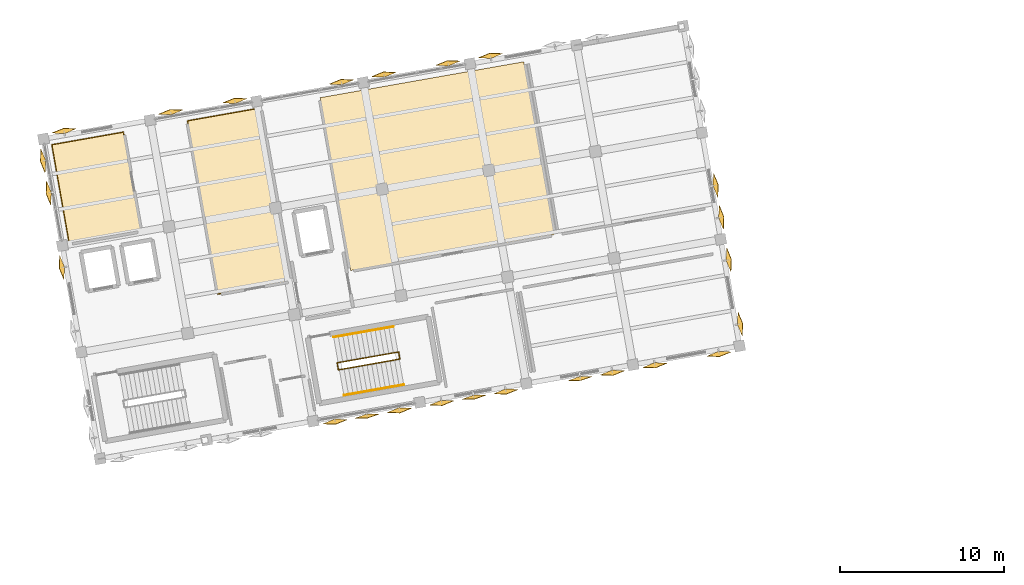
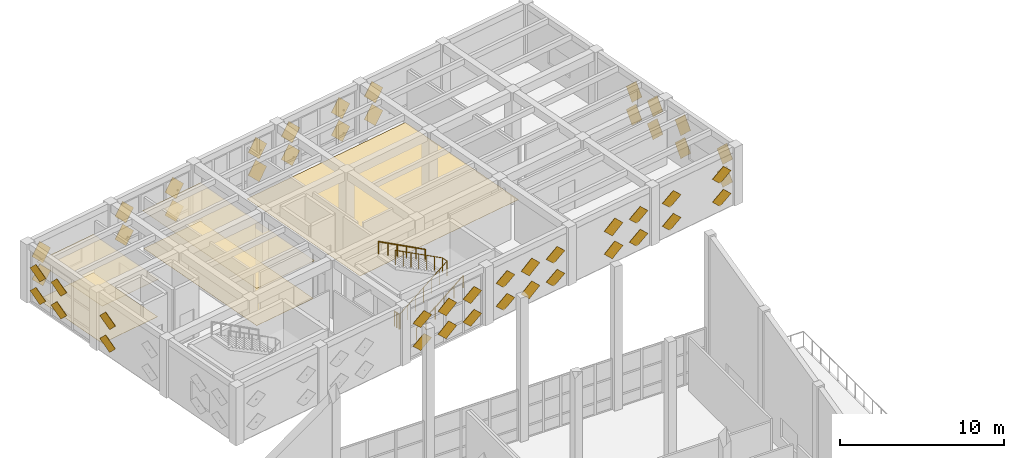
# One storey, part 37 of 39: 53 coverings, 4 railings.
"""IFC4 building model written with IfcOpenShell, lengths in metres."""

import ifcopenshell
import ifcopenshell.guid

model = None  # the IFC model being written
_history = None  # IfcOwnerHistory: only IFC2X3 demands one
_inside = {}  # id of a spatial element -> (the spatial element, [elements in it])
_under = {}  # id of a project, library or spatial element -> (it, [spatial elements below it])
_declared = {}  # id of a project -> (the project, [libraries it declares])
_typed = {}  # id of a type object -> (the type object, [elements of that type])
_made_of = {}  # id of a material, layer set ... -> (it, [elements and type objects made of it])


def new_model(schema):
    """Start an empty IFC model of exactly this schema.

    Asked for "IFC4X3", IfcOpenShell would pick the latest addendum, in which some entities
    have other attributes; the version numbers below select the first issue.
    IFC2X3 requires an IfcOwnerHistory on every rooted entity: one is made here for all.
    """
    global model, _history
    if schema == "IFC4X3":
        model = ifcopenshell.file(schema_version=(4, 3, 0, 0))
    else:
        model = ifcopenshell.file(schema=schema)
    _inside.clear()
    _under.clear()
    _declared.clear()
    _typed.clear()
    _made_of.clear()
    _history = None
    if model.schema == "IFC2X3":
        org = make("IfcOrganization", Name="unknown")
        user = make(
            "IfcPersonAndOrganization",
            ThePerson=make("IfcPerson", FamilyName="unknown"),
            TheOrganization=org,
        )
        app = make(
            "IfcApplication",
            ApplicationDeveloper=org,
            Version="unknown",
            ApplicationFullName="unknown",
            ApplicationIdentifier="unknown",
        )
        _history = make(
            "IfcOwnerHistory",
            OwningUser=user,
            OwningApplication=app,
            ChangeAction="ADDED",
            CreationDate=0,
        )
    return model


def make(cls, **values):
    """One entity of the class cls with the attributes given. An attribute that is None is left unset."""
    return model.create_entity(
        cls, **{name: value for name, value in values.items() if value is not None}
    )


def rooted(cls, **values):
    """An entity with a GlobalId (a new one), such as an element, a storey or a relation."""
    return make(cls, GlobalId=ifcopenshell.guid.new(), OwnerHistory=_history, **values)


def si_unit(unit_type, name, prefix=None):
    """IfcSIUnit, for example si_unit("LENGTHUNIT", "METRE", prefix="MILLI")."""
    return make("IfcSIUnit", UnitType=unit_type, Prefix=prefix, Name=name)


def assignment(units):
    """IfcUnitAssignment: the units of a project."""
    return None if units is None else make("IfcUnitAssignment", Units=units)


def point(xyz):
    """IfcCartesianPoint."""
    return None if xyz is None else make("IfcCartesianPoint", Coordinates=xyz)


def direction(xyz):
    """IfcDirection."""
    return None if xyz is None else make("IfcDirection", DirectionRatios=xyz)


def frame(location, z_axis=None, x_axis=None):
    """IfcAxis2Placement3D, a coordinate frame: its origin and axes. An axis left out is left unset."""
    return make(
        "IfcAxis2Placement3D",
        Location=point(location),
        Axis=direction(z_axis),
        RefDirection=direction(x_axis),
    )


def frame_2d(location, x_axis=None):
    """IfcAxis2Placement2D, a coordinate frame in the plane: its origin and x axis."""
    return make(
        "IfcAxis2Placement2D", Location=point(location), RefDirection=direction(x_axis)
    )


def origin():
    """The frame at (0, 0, 0) with its axes left unset."""
    return frame((0.0, 0.0, 0.0))


def origin_2d():
    """The frame at (0, 0) in the plane with its x axis left unset."""
    return frame_2d((0.0, 0.0))


def place(relative_to, where):
    """IfcLocalPlacement: puts the frame where relative to a parent placement (None: the world)."""
    return make(
        "IfcLocalPlacement", PlacementRelTo=relative_to, RelativePlacement=where
    )


def context(
    kind, dimensions, precision=None, world=None, true_north=None, identifier=None
):
    """IfcGeometricRepresentationContext, for example the 3D "Model" context."""
    return make(
        "IfcGeometricRepresentationContext",
        ContextIdentifier=identifier,
        ContextType=kind,
        CoordinateSpaceDimension=dimensions,
        Precision=precision,
        WorldCoordinateSystem=world,
        TrueNorth=true_north,
    )


def subcontext(parent, identifier, kind, view, scale=None):
    """IfcGeometricRepresentationSubContext, for example "Body" below "Model"."""
    return make(
        "IfcGeometricRepresentationSubContext",
        ContextIdentifier=identifier,
        ContextType=kind,
        ParentContext=parent,
        TargetScale=scale,
        TargetView=view,
    )


def project(units=None, contexts=None):
    """IfcProject with its units and contexts."""
    return rooted(
        "IfcProject",
        Name="project",
        RepresentationContexts=contexts,
        UnitsInContext=assignment(units),
    )


def spatial(cls, under=None, at=None, **own):
    """A site, building, storey or space (cls), placed at a placement, below another one or the project."""
    s = rooted(cls, ObjectPlacement=at, **own)
    if under is not None:
        _under.setdefault(under.id(), (under, []))[1].append(s)
    return s


def polyline(points):
    """IfcPolyline through the points."""
    return make("IfcPolyline", Points=[point(p) for p in points])


def profile(cls, at=None, kind="AREA", **sizes):
    """A parametric profile (cls). Its sizes go by their IFC names, for example OverallWidth=200.0."""
    return make(cls, ProfileType=kind, Position=at, **sizes)


def circle(**sizes):
    """IfcCircleProfileDef."""
    return profile("IfcCircleProfileDef", **sizes)


def outline(outer, holes=None, kind="AREA"):
    """IfcArbitraryClosedProfileDef: a profile drawn as a closed curve; with holes, ...WithVoids."""
    if holes is None:
        return make("IfcArbitraryClosedProfileDef", ProfileType=kind, OuterCurve=outer)
    return make(
        "IfcArbitraryProfileDefWithVoids",
        ProfileType=kind,
        OuterCurve=outer,
        InnerCurves=holes,
    )


def extrude(swept, where, along, depth):
    """IfcExtrudedAreaSolid: the profile swept, set in the frame where, extruded along a direction by depth."""
    return make(
        "IfcExtrudedAreaSolid",
        SweptArea=swept,
        Position=where,
        ExtrudedDirection=direction(along),
        Depth=depth,
    )


def shape(context_of_items, identifier, shape_type, items):
    """IfcShapeRepresentation: the items that make up one representation, for example the "Body"."""
    return make(
        "IfcShapeRepresentation",
        ContextOfItems=context_of_items,
        RepresentationIdentifier=identifier,
        RepresentationType=shape_type,
        Items=items,
    )


def material(Name=None, Category=None):
    """IfcMaterial."""
    return make("IfcMaterial", Name=Name, Category=Category)


def layer(
    of_material, thickness, ventilated=None, Name=None, Category=None, Priority=None
):
    """IfcMaterialLayer: one layer of a wall or slab, of a material (None: an air gap)."""
    return make(
        "IfcMaterialLayer",
        Material=of_material,
        LayerThickness=thickness,
        IsVentilated=ventilated,
        Name=Name,
        Category=Category,
        Priority=Priority,
    )


def layer_set(layers, Name=None):
    """IfcMaterialLayerSet."""
    return make("IfcMaterialLayerSet", MaterialLayers=layers, LayerSetName=Name)


def made_of(thing, what):
    """Note that an element or type object is made of a material, layer set ...; save() writes the relation."""
    if what is not None:
        _made_of.setdefault(what.id(), (what, []))[1].append(thing)
    return thing


def type_object(cls, material=None, **own):
    """A type object (cls), such as IfcWallType, which elements share."""
    return made_of(rooted(cls, **own), material)


def element(
    cls,
    number,
    at=None,
    inside=None,
    cuts=None,
    type_object=None,
    material=None,
    context=None,
    identifier="Body",
    shape_type=None,
    held_by="IfcProductDefinitionShape",
    body=None,
    shapes=None,
    **own,
):
    """One element of the class cls, such as IfcWall. Its Tag is "e" and its number.

    at: its placement. inside: the storey or other place that contains it. cuts: it is an
    opening in that element (IfcRelVoidsElement). A single representation is given by context,
    identifier, shape_type and body (its items); several are given by shapes. held_by: the class
    of the entity that holds the representations. save() writes the other relations.
    """
    e = rooted(cls, Tag="e%d" % number, ObjectPlacement=at, **own)
    if body is not None:
        shapes = [shape(context, identifier, shape_type, body)]
    if shapes is not None:
        e.Representation = make(held_by, Representations=shapes)
    if inside is not None:
        _inside.setdefault(inside.id(), (inside, []))[1].append(e)
    if cuts is not None:
        rooted(
            "IfcRelVoidsElement", RelatingBuildingElement=cuts, RelatedOpeningElement=e
        )
    if type_object is not None:
        _typed.setdefault(type_object.id(), (type_object, []))[1].append(e)
    return made_of(e, material)


def aggregate(whole, parts):
    """IfcRelAggregates: a whole, such as a stair, and the parts it consists of."""
    return rooted("IfcRelAggregates", RelatingObject=whole, RelatedObjects=parts)


def save(model, path):
    """Write the relations noted so far, then the file.

    IfcRelAggregates (storeys below a building ...), IfcRelContainedInSpatialStructure (elements
    in a storey), IfcRelDefinesByType, IfcRelAssociatesMaterial and IfcRelDeclares: one each for
    every whole, place, type object, material and project.
    """
    for whole, parts in _under.values():
        aggregate(whole, parts)
    for where, things in _inside.values():
        rooted(
            "IfcRelContainedInSpatialStructure",
            RelatedElements=things,
            RelatingStructure=where,
        )
    for kind, things in _typed.values():
        rooted("IfcRelDefinesByType", RelatedObjects=things, RelatingType=kind)
    for what, things in _made_of.values():
        rooted("IfcRelAssociatesMaterial", RelatedObjects=things, RelatingMaterial=what)
    for by, libraries in _declared.values():
        rooted("IfcRelDeclares", RelatingContext=by, RelatedDefinitions=libraries)
    model.write(path)


model = new_model("IFC4")

# Units and contexts
model_context = context("Model", 3, precision=1e-05, world=origin(), true_north=direction((0.0, 1.0)))
body_context = subcontext(model_context, "Body", "Model", "MODEL_VIEW")
ifc_project = project(units=[si_unit("LENGTHUNIT", "METRE"), si_unit("AREAUNIT", "SQUARE_METRE"), si_unit("VOLUMEUNIT", "CUBIC_METRE"), si_unit("PLANEANGLEUNIT", "RADIAN"), si_unit("MASSUNIT", "GRAM", prefix="KILO")], contexts=[model_context])

# Site, building, storey
site_placement = place(None, origin())
site = spatial("IfcSite", under=ifc_project, at=site_placement, CompositionType="ELEMENT")
building_placement = place(site_placement, origin())
building = spatial("IfcBuilding", under=site, at=building_placement, Name="Kharisveld Research Institute", CompositionType="ELEMENT")
storey_placement = place(building_placement, frame((0.0, 0.0, 18.60009765625)))
storey = spatial("IfcBuildingStorey", under=building, at=storey_placement, Name="L04", CompositionType="ELEMENT", Elevation=18.60009765625)

# Coverings
ifc_material_1 = material(Name="Mineral-Fibre Acoustic Ceiling", Category="mineral")
ifc_layer_1 = layer(ifc_material_1, 0.02490234375)
ifc_layer_set_1 = layer_set([ifc_layer_1], Name="CV_CEIL_AC")
covering_type_1 = type_object("IfcCoveringType", Name="CV_CEIL_AC", PredefinedType="CEILING", material=ifc_layer_set_1)
covering_1_placement = place(storey_placement, frame((0.0, 0.0, 2.7998046875)))
element("IfcCovering", 1, at=covering_1_placement, inside=storey, type_object=covering_type_1, Name="COV:RM:V1:L04:NW:CEIL", PredefinedType="CEILING", context=body_context, shape_type="SweptSolid", body=[
    extrude(outline(polyline([(3.3017578125, 48.078857421875), (7.7333984375, 48.8603515625), (6.65673828125, 54.966064453125), (2.22509765625, 54.184814453125), (3.3017578125, 48.078857421875)])), origin(), (0.0, 0.0, 1.0), 0.025146484375),
])
covering_2_placement = place(storey_placement, frame((0.0, 0.0, 2.7998046875)))
element("IfcCovering", 2, at=covering_2_placement, inside=storey, type_object=covering_type_1, Name="COV:RM:V1:L04:N1:CEIL", PredefinedType="CEILING", context=body_context, shape_type="SweptSolid", body=[
    extrude(outline(polyline([(12.373046875, 45.007568359375), (16.903076171875, 45.80615234375), (15.027587890625, 56.442138671875), (10.49755859375, 55.643310546875), (12.373046875, 45.007568359375)])), origin(), (0.0, 0.0, 1.0), 0.025146484375),
])
ifc_material_2 = material(Name="Seamless Chemical-Resistant Epoxy", Category="mineral")
ifc_layer_2 = layer(ifc_material_2, 0.014892578125)
ifc_layer_set_2 = layer_set([ifc_layer_2], Name="CV_FLR_EPX")
covering_type_2 = type_object("IfcCoveringType", Name="CV_FLR_EPX", PredefinedType="FLOORING", material=ifc_layer_set_2)
covering_3_placement = place(storey_placement, origin())
element("IfcCovering", 3, at=covering_3_placement, inside=storey, type_object=covering_type_2, Name="COV:RM:V1:L04:NW:FLR", PredefinedType="FLOORING", context=body_context, shape_type="SweptSolid", body=[
    extrude(outline(polyline([(3.34228515625, 48.136962890625), (7.675537109375, 48.90087890625), (6.6162109375, 54.908203125), (2.282958984375, 54.144287109375), (3.34228515625, 48.136962890625)])), origin(), (0.0, 0.0, 1.0), 0.014892578125),
])
covering_4_placement = place(storey_placement, origin())
element("IfcCovering", 4, at=covering_4_placement, inside=storey, type_object=covering_type_2, Name="COV:RM:V1:L04:N1:FLR", PredefinedType="FLOORING", context=body_context, shape_type="SweptSolid", body=[
    extrude(outline(polyline([(12.41357421875, 45.0654296875), (16.84521484375, 45.8466796875), (14.987060546875, 56.38427734375), (10.555419921875, 55.602783203125), (12.41357421875, 45.0654296875)])), origin(), (0.0, 0.0, 1.0), 0.014892578125),
])
covering_5_placement = place(storey_placement, origin())
element("IfcCovering", 5, at=covering_5_placement, inside=storey, type_object=covering_type_2, Name="COV:RM:V1:L04:N2:FLR", PredefinedType="FLOORING", context=body_context, shape_type="SweptSolid", body=[
    extrude(outline(polyline([(20.489013671875, 46.4892578125), (32.8974609375, 48.67724609375), (31.03955078125, 59.214599609375), (18.630859375, 57.026611328125), (20.489013671875, 46.4892578125)])), origin(), (0.0, 0.0, 1.0), 0.014892578125),
])

# Railings
ifc_material_3 = material(Name="Steel S355JR", Category="steel")
railing_type_1 = type_object("IfcRailingType", Name="RL_GRD_STR", PredefinedType="GUARDRAIL", material=ifc_material_3)
railing_1_placement = place(storey_placement, frame((19.79931640625, 40.4375, 0.0)))
element("IfcRailing", 6, at=railing_1_placement, inside=storey, type_object=railing_type_1, Name="RLG:ST2:L04:GRD_SLOT", PredefinedType="GUARDRAIL", context=body_context, shape_type="SweptSolid", body=[
    extrude(circle(Radius=0.02392578125, at=origin_2d()), frame((0.0, 0.0, 1.09619140625), z_axis=(0.844157266411, 0.148870313632, 0.515010814726), x_axis=(-0.173673761132, 0.984803241614, 0.0)), (0.0, 0.0, 1.0), 4.368896484375),
    extrude(circle(Radius=0.02392578125, at=origin_2d()), frame((3.68798828125, 0.650390625, 3.34619140625), z_axis=(-0.173658729201, 0.984805892434, 0.0), x_axis=(-0.984805892434, -0.173658729201, 0.0)), (0.0, 0.0, 1.0), 0.43994140625),
    extrude(circle(Radius=0.02392578125, at=origin_2d()), frame((3.611572265625, 1.083740234375, 3.34619140625), z_axis=(-0.844157266411, -0.148870313632, 0.515010814726), x_axis=(0.173673761132, -0.984803241614, 0.0)), (0.0, 0.0, 1.0), 4.368896484375),
    extrude(circle(Radius=0.02099609375, at=origin_2d()), origin(), (0.0, 0.0, 1.0), 1.072021484375),
    extrude(circle(Radius=0.02099609375, at=origin_2d()), frame((0.61474609375, 0.1083984375, 0.375)), (0.0, 0.0, 1.0), 1.072021484375),
    extrude(circle(Radius=0.02099609375, at=origin_2d()), frame((1.229248046875, 0.216796875, 0.75)), (0.0, 0.0, 1.0), 1.072021484375),
    extrude(circle(Radius=0.02099609375, at=origin_2d()), frame((1.843994140625, 0.3251953125, 1.125)), (0.0, 0.0, 1.0), 1.072021484375),
    extrude(circle(Radius=0.02099609375, at=origin_2d()), frame((2.458740234375, 0.43359375, 1.5)), (0.0, 0.0, 1.0), 1.072021484375),
    extrude(circle(Radius=0.02099609375, at=origin_2d()), frame((3.0732421875, 0.5419921875, 1.875)), (0.0, 0.0, 1.0), 1.072021484375),
    extrude(circle(Radius=0.02099609375, at=origin_2d()), frame((3.68798828125, 0.650390625, 2.25)), (0.0, 0.0, 1.0), 1.072021484375),
    extrude(circle(Radius=0.02099609375, at=origin_2d()), frame((3.611572265625, 1.083740234375, 2.25)), (0.0, 0.0, 1.0), 1.072021484375),
    extrude(circle(Radius=0.02099609375, at=origin_2d()), frame((2.996826171875, 0.975341796875, 2.625)), (0.0, 0.0, 1.0), 1.072021484375),
    extrude(circle(Radius=0.02099609375, at=origin_2d()), frame((2.38232421875, 0.866943359375, 3.0)), (0.0, 0.0, 1.0), 1.072021484375),
    extrude(circle(Radius=0.02099609375, at=origin_2d()), frame((1.767578125, 0.758544921875, 3.375)), (0.0, 0.0, 1.0), 1.072021484375),
    extrude(circle(Radius=0.02099609375, at=origin_2d()), frame((1.15283203125, 0.650146484375, 3.75)), (0.0, 0.0, 1.0), 1.072021484375),
    extrude(circle(Radius=0.02099609375, at=origin_2d()), frame((0.538330078125, 0.541748046875, 4.125)), (0.0, 0.0, 1.0), 1.072021484375),
    extrude(circle(Radius=0.02099609375, at=origin_2d()), frame((-0.076416015625, 0.433349609375, 4.5)), (0.0, 0.0, 1.0), 1.072021484375),
])
railing_2_placement = place(storey_placement, frame((19.740234375, 40.42724609375, 0.0)))
element("IfcRailing", 7, at=railing_2_placement, inside=storey, type_object=railing_type_1, Name="RLG:ST2:L04:GRD_FLRSLOT", PredefinedType="GUARDRAIL", context=body_context, shape_type="SweptSolid", body=[
    extrude(circle(Radius=0.02392578125, at=origin_2d()), frame((0.0, 0.0, 1.09619140625), z_axis=(-0.173658729201, 0.984805892434, 0.0), x_axis=(-0.984805892434, -0.173658729201, 0.0)), (0.0, 0.0, 1.0), 0.43994140625),
    extrude(circle(Radius=0.02099609375, at=origin_2d()), origin(), (0.0, 0.0, 1.0), 1.072021484375),
    extrude(circle(Radius=0.02099609375, at=origin_2d()), frame((-0.0380859375, 0.216796875, 0.0)), (0.0, 0.0, 1.0), 1.072021484375),
    extrude(circle(Radius=0.02099609375, at=origin_2d()), frame((-0.076416015625, 0.433349609375, 0.0)), (0.0, 0.0, 1.0), 1.072021484375),
])
ifc_material_4 = material(Name="Stainless Steel 316", Category="steel")
railing_type_2 = type_object("IfcRailingType", Name="RL_HND_STR", PredefinedType="HANDRAIL", material=ifc_material_4)
railing_3_placement = place(storey_placement, frame((20.07373046875, 38.881591796875, 0.0)))
element("IfcRailing", 8, at=railing_3_placement, inside=storey, type_object=railing_type_2, Name="RLG:ST2:L04:HR1", PredefinedType="HANDRAIL", context=body_context, shape_type="SweptSolid", body=[
    extrude(circle(Radius=0.02392578125, at=origin_2d()), frame((0.0, 0.0, 0.89599609375), z_axis=(0.841746897377, 0.148411045473, 0.519072559801), x_axis=(-0.173634966033, 0.984810082488, 0.0)), (0.0, 0.0, 1.0), 4.334716796875),
    extrude(circle(Radius=0.02099609375, at=origin_2d()), origin(), (0.0, 0.0, 1.0), 0.871826171875),
    extrude(circle(Radius=0.02099609375, at=origin_2d()), frame((0.729736328125, 0.128662109375, 0.449951171875)), (0.0, 0.0, 1.0), 0.871826171875),
    extrude(circle(Radius=0.02099609375, at=origin_2d()), frame((1.45947265625, 0.25732421875, 0.89990234375)), (0.0, 0.0, 1.0), 0.871826171875),
    extrude(circle(Radius=0.02099609375, at=origin_2d()), frame((2.189208984375, 0.385986328125, 1.35009765625)), (0.0, 0.0, 1.0), 0.871826171875),
    extrude(circle(Radius=0.02099609375, at=origin_2d()), frame((2.9189453125, 0.5146484375, 1.800048828125)), (0.0, 0.0, 1.0), 0.871826171875),
    extrude(circle(Radius=0.02099609375, at=origin_2d()), frame((3.648681640625, 0.643310546875, 2.25)), (0.0, 0.0, 1.0), 0.871826171875),
])
railing_4_placement = place(storey_placement, frame((23.09716796875, 43.0703125, 2.25)))
element("IfcRailing", 9, at=railing_4_placement, inside=storey, type_object=railing_type_2, Name="RLG:ST2:L04:HR2", PredefinedType="HANDRAIL", context=body_context, shape_type="SweptSolid", body=[
    extrude(circle(Radius=0.02392578125, at=origin_2d()), frame((0.0, 0.0, 0.89599609375), z_axis=(-0.841746897377, -0.148411045473, 0.519072559801), x_axis=(0.173634966033, -0.984810082488, 0.0)), (0.0, 0.0, 1.0), 4.334716796875),
    extrude(circle(Radius=0.02099609375, at=origin_2d()), origin(), (0.0, 0.0, 1.0), 0.871826171875),
    extrude(circle(Radius=0.02099609375, at=origin_2d()), frame((-0.729736328125, -0.128662109375, 0.449951171875)), (0.0, 0.0, 1.0), 0.871826171875),
    extrude(circle(Radius=0.02099609375, at=origin_2d()), frame((-1.45947265625, -0.25732421875, 0.89990234375)), (0.0, 0.0, 1.0), 0.871826171875),
    extrude(circle(Radius=0.02099609375, at=origin_2d()), frame((-2.189208984375, -0.385986328125, 1.35009765625)), (0.0, 0.0, 1.0), 0.871826171875),
    extrude(circle(Radius=0.02099609375, at=origin_2d()), frame((-2.9189453125, -0.5146484375, 1.800048828125)), (0.0, 0.0, 1.0), 0.871826171875),
    extrude(circle(Radius=0.02099609375, at=origin_2d()), frame((-3.648681640625, -0.643310546875, 2.25)), (0.0, 0.0, 1.0), 0.871826171875),
])

# Coverings
ifc_material_5 = material(Name="White Powder-Coated Perforated Aluminium", Category="aluminium")
covering_type_3 = type_object("IfcCoveringType", Name="CV_DIA_105", PredefinedType="CLADDING")
for number, where, z_axis, x_axis, name in (
    (10, (3.0380859375, 46.69873046875, 0.324951171875), (0.961487125864, 0.169504241221, 0.216358080518), (-0.27342850239, 0.669853329409, 0.690313965642), "SHD:V1:L04:W1:S2C0"),
    (11, (3.0380859375, 46.69873046875, 2.025146484375), (0.961487125864, 0.169504241221, 0.216358080518), (-0.27342850239, 0.669853329409, 0.690313965642), "SHD:V1:L04:W1:S2C1"),
):
    element("IfcCovering", number, at=place(storey_placement, frame(where, z_axis=z_axis, x_axis=x_axis)), inside=storey, type_object=covering_type_3, material=ifc_material_5, Name=name, PredefinedType="CLADDING", context=body_context, shape_type="SweptSolid", body=[
        extrude(outline(polyline([(0.0, 0.0), (1.0500345519602505, 0.0), (1.0499807392517624, 1.0499534878027108), (-5.381270848814346e-05, 1.049953487802711), (0.0, 0.0)])), origin(), (0.0, 0.0, -1.0), 0.02392578125),
    ])
for number, where, z_axis, x_axis, name in (
    (12, (2.237060546875, 51.2421875, 0.324951171875), (0.961420032054, 0.169652917176, 0.216539626071), (-0.273667258538, 0.669685861016, 0.690381835769), "SHD:V1:L04:W2:S1C0"),
    (13, (2.237060546875, 51.2421875, 2.025146484375), (0.961420032054, 0.169652917176, 0.216539626071), (-0.273667258538, 0.669685861016, 0.690381835769), "SHD:V1:L04:W2:S1C1"),
):
    element("IfcCovering", number, at=place(storey_placement, frame(where, z_axis=z_axis, x_axis=x_axis)), inside=storey, type_object=covering_type_3, material=ifc_material_5, Name=name, PredefinedType="CLADDING", context=body_context, shape_type="SweptSolid", body=[
        extrude(outline(polyline([(0.0, 0.0), (1.0499378206599106, 0.0), (1.0500673127316735, 1.0499534809922781), (-3.40054528989997e-05, 1.0501299963078314), (0.0, 0.0)])), origin(), (0.0, 0.0, -1.0), 0.02392578125),
    ])
for number, where, z_axis, x_axis, name in (
    (14, (1.89208984375, 53.198486328125, 0.324951171875), (0.961425979727, 0.169653966706, 0.216512394765), (-0.27364360613, 0.669810730042, 0.69027006508), "SHD:V1:L04:W2:S2C0"),
    (15, (1.89208984375, 53.198486328125, 2.025146484375), (0.961425979727, 0.169653966706, 0.216512394765), (-0.27364360613, 0.669810730042, 0.69027006508), "SHD:V1:L04:W2:S2C1"),
    (16, (3.037841796875, 54.8349609375, 0.324951171875), (0.169653966706, -0.961425979727, 0.216512394765), (0.669810730042, 0.27364360613, 0.69027006508), "SHD:V1:L04:N0:S0C0"),
    (17, (3.037841796875, 54.8349609375, 2.025146484375), (0.169653966706, -0.961425979727, 0.216512394765), (0.669810730042, 0.27364360613, 0.69027006508), "SHD:V1:L04:N0:S0C1"),
):
    element("IfcCovering", number, at=place(storey_placement, frame(where, z_axis=z_axis, x_axis=x_axis)), inside=storey, type_object=covering_type_3, material=ifc_material_5, Name=name, PredefinedType="CLADDING", context=body_context, shape_type="SweptSolid", body=[
        extrude(outline(polyline([(0.0, 0.0), (1.0501013332243323, 1.1102230246251565e-16), (1.050054335240126, 1.049953488129867), (-4.699798420648715e-05, 1.049953488129867), (0.0, 0.0)])), origin(), (0.0, 0.0, -1.0), 0.02392578125),
    ])
for number, where, z_axis, x_axis, name in (
    (18, (9.53759765625, 55.981201171875, 0.324951171875), (0.169504241221, -0.961487125864, 0.216358080518), (0.669853329409, 0.27342850239, 0.690313965642), "SHD:V1:L04:N1:S0C0"),
    (19, (9.53759765625, 55.981201171875, 2.025146484375), (0.169504241221, -0.961487125864, 0.216358080518), (0.669853329409, 0.27342850239, 0.690313965642), "SHD:V1:L04:N1:S0C1"),
):
    element("IfcCovering", number, at=place(storey_placement, frame(where, z_axis=z_axis, x_axis=x_axis)), inside=storey, type_object=covering_type_3, material=ifc_material_5, Name=name, PredefinedType="CLADDING", context=body_context, shape_type="SweptSolid", body=[
        extrude(outline(polyline([(0.0, 0.0), (1.0500345519602505, 0.0), (1.0499807392517624, 1.0499534878027108), (-5.381270848814346e-05, 1.049953487802711), (0.0, 0.0)])), origin(), (0.0, 0.0, -1.0), 0.02392578125),
    ])
for number, where, z_axis, x_axis, name in (
    (20, (13.45068359375, 56.671142578125, 0.324951171875), (0.169503194288, -0.961481187298, 0.216385289699), (0.669728459805, 0.273452141042, 0.690425750307), "SHD:V1:L04:N1:S2C0"),
    (21, (13.45068359375, 56.671142578125, 2.025146484375), (0.169503194288, -0.961481187298, 0.216385289699), (0.669728459805, 0.273452141042, 0.690425750307), "SHD:V1:L04:N1:S2C1"),
):
    element("IfcCovering", number, at=place(storey_placement, frame(where, z_axis=z_axis, x_axis=x_axis)), inside=storey, type_object=covering_type_3, material=ifc_material_5, Name=name, PredefinedType="CLADDING", context=body_context, shape_type="SweptSolid", body=[
        extrude(outline(polyline([(0.0, 0.0), (1.0498710289953155, -1.1102230246251565e-16), (1.0499937165082887, 1.0499534818098035), (-4.082041178410378e-05, 1.0501299960653954), (0.0, 0.0)])), origin(), (0.0, 0.0, -1.0), 0.02392578125),
    ])
for number, where, z_axis, x_axis, name in (
    (22, (19.950439453125, 57.817138671875, 0.324951171875), (0.169497253476, -0.961447488939, 0.216539620108), (0.669709514325, 0.273559622879, 0.690401549211), "SHD:V1:L04:N2:S2C0"),
    (23, (19.950439453125, 57.817138671875, 2.025146484375), (0.169497253476, -0.961447488939, 0.216539620108), (0.669709514325, 0.273559622879, 0.690401549211), "SHD:V1:L04:N2:S2C1"),
):
    element("IfcCovering", number, at=place(storey_placement, frame(where, z_axis=z_axis, x_axis=x_axis)), inside=storey, type_object=covering_type_3, material=ifc_material_5, Name=name, PredefinedType="CLADDING", context=body_context, shape_type="SweptSolid", body=[
        extrude(outline(polyline([(0.0, 0.0), (1.0498710247482905, 1.1102230246251565e-16), (1.0500604861589913, 1.0499603082606803), (-4.0828905999434895e-05, 1.0501299918190874), (0.0, 0.0)])), origin(), (0.0, 0.0, -1.0), 0.02392578125),
    ])
for number, where, z_axis, x_axis, name in (
    (24, (22.537109375, 58.273193359375, 0.324951171875), (0.169652917176, -0.961420032054, 0.216539626071), (0.66980738436, 0.273662566838, 0.690265794725), "SHD:V1:L04:N3:S0C0"),
    (25, (22.537109375, 58.273193359375, 2.025146484375), (0.169652917176, -0.961420032054, 0.216539626071), (0.66980738436, 0.273662566838, 0.690265794725), "SHD:V1:L04:N3:S0C1"),
):
    element("IfcCovering", number, at=place(storey_placement, frame(where, z_axis=z_axis, x_axis=x_axis)), inside=storey, type_object=covering_type_3, material=ifc_material_5, Name=name, PredefinedType="CLADDING", context=body_context, shape_type="SweptSolid", body=[
        extrude(outline(polyline([(0.0, 0.0), (1.0501013330201203, 0.0), (1.049890807434033, 1.0501299757557796), (-4.699839263988537e-05, 1.0499534879256078), (0.0, 0.0)])), origin(), (0.0, 0.0, -1.0), 0.02392578125),
    ])
for number, where, z_axis, x_axis, name in (
    (26, (26.449951171875, 58.963134765625, 0.324951171875), (0.169498301082, -0.961453431325, 0.216512413788), (0.669829678259, 0.273536150679, 0.690294267972), "SHD:V1:L04:N3:S2C0"),
    (27, (26.449951171875, 58.963134765625, 2.025146484375), (0.169498301082, -0.961453431325, 0.216512413788), (0.669829678259, 0.273536150679, 0.690294267972), "SHD:V1:L04:N3:S2C1"),
):
    element("IfcCovering", number, at=place(storey_placement, frame(where, z_axis=z_axis, x_axis=x_axis)), inside=storey, type_object=covering_type_3, material=ifc_material_5, Name=name, PredefinedType="CLADDING", context=body_context, shape_type="SweptSolid", body=[
        extrude(outline(polyline([(0.0, 0.0), (1.050101326665668, -1.1102230246251565e-16), (1.050054341798497, 1.049953481570866), (1.9796419616024963e-05, 1.0499603230588543), (0.0, 0.0)])), origin(), (0.0, 0.0, -1.0), 0.02392578125),
    ])
for number, where, z_axis, x_axis, name in (
    (28, (29.036865234375, 59.41943359375, 0.324951171875), (0.169530643305, -0.961476347302, 0.21638529192), (0.669725119033, 0.273471090272, 0.690421485559), "SHD:V1:L04:N4:S0C0"),
    (29, (29.036865234375, 59.41943359375, 2.025146484375), (0.169530643305, -0.961476347302, 0.21638529192), (0.669725119033, 0.273471090272, 0.690421485559), "SHD:V1:L04:N4:S0C1"),
):
    element("IfcCovering", number, at=place(storey_placement, frame(where, z_axis=z_axis, x_axis=x_axis)), inside=storey, type_object=covering_type_3, material=ifc_material_5, Name=name, PredefinedType="CLADDING", context=body_context, shape_type="SweptSolid", body=[
        extrude(outline(polyline([(0.0, 0.0), (1.0498710291992122, 0.0), (1.0499937163043682, 1.0499534820137317), (0.00012268710515594972, 1.049953482013732), (0.0, 0.0)])), origin(), (0.0, 0.0, -1.0), 0.02392578125),
    ])
for number, where, z_axis, x_axis, name in (
    (30, (42.5771484375, 51.6533203125, 0.324951171875), (-0.961481187298, -0.169503194288, 0.216385289699), (0.273447448775, -0.669849989418, 0.690309701826), "SHD:V1:L04:E2:S1C0"),
    (31, (42.5771484375, 51.6533203125, 2.025146484375), (-0.961481187298, -0.169503194288, 0.216385289699), (0.273447448775, -0.669849989418, 0.690309701826), "SHD:V1:L04:E2:S1C1"),
):
    element("IfcCovering", number, at=place(storey_placement, frame(where, z_axis=z_axis, x_axis=x_axis)), inside=storey, type_object=covering_type_3, material=ifc_material_5, Name=name, PredefinedType="CLADDING", context=body_context, shape_type="SweptSolid", body=[
        extrude(outline(polyline([(0.0, 0.0), (1.0500345517563856, -1.1102230246251565e-16), (1.0498172010450848, 1.0501299743656882), (-5.381311622809637e-05, 1.0499534875988095), (0.0, 0.0)])), origin(), (0.0, 0.0, -1.0), 0.02392578125),
    ])
for number, where, z_axis, x_axis, name in (
    (32, (42.922119140625, 49.69677734375, 0.324951171875), (-0.961476347302, -0.169530643305, 0.21638529192), (0.273471090272, -0.669725119033, 0.690421485559), "SHD:V1:L04:E2:S2C0"),
    (33, (42.922119140625, 49.69677734375, 2.025146484375), (-0.961476347302, -0.169530643305, 0.21638529192), (0.273471090272, -0.669725119033, 0.690421485559), "SHD:V1:L04:E2:S2C1"),
):
    element("IfcCovering", number, at=place(storey_placement, frame(where, z_axis=z_axis, x_axis=x_axis)), inside=storey, type_object=covering_type_3, material=ifc_material_5, Name=name, PredefinedType="CLADDING", context=body_context, shape_type="SweptSolid", body=[
        extrude(outline(polyline([(0.0, 0.0), (1.0498710291992122, 0.0), (1.0499937163043682, 1.0499534820137317), (0.00012268710515594972, 1.049953482013732), (0.0, 0.0)])), origin(), (0.0, 0.0, -1.0), 0.02392578125),
    ])
for number, where, z_axis, x_axis, name in (
    (34, (43.378173828125, 47.110107421875, 0.324951171875), (-0.961487125864, -0.169504241221, 0.216358080518), (0.27342850239, -0.669853329409, 0.690313965642), "SHD:V1:L04:E1:S0C0"),
    (35, (43.378173828125, 47.110107421875, 2.025146484375), (-0.961487125864, -0.169504241221, 0.216358080518), (0.27342850239, -0.669853329409, 0.690313965642), "SHD:V1:L04:E1:S0C1"),
):
    element("IfcCovering", number, at=place(storey_placement, frame(where, z_axis=z_axis, x_axis=x_axis)), inside=storey, type_object=covering_type_3, material=ifc_material_5, Name=name, PredefinedType="CLADDING", context=body_context, shape_type="SweptSolid", body=[
        extrude(outline(polyline([(0.0, 0.0), (1.0500345519602505, 0.0), (1.0499807392517624, 1.0499534878027108), (-5.381270848814346e-05, 1.049953487802711), (0.0, 0.0)])), origin(), (0.0, 0.0, -1.0), 0.02392578125),
    ])
for number, where, z_axis, x_axis, name in (
    (36, (44.068115234375, 43.197021484375, 0.324951171875), (-0.961481187298, -0.169503194288, 0.216385289699), (0.273452141042, -0.669728459805, 0.690425750307), "SHD:V1:L04:E1:S2C0"),
    (37, (44.068115234375, 43.197021484375, 2.025146484375), (-0.961481187298, -0.169503194288, 0.216385289699), (0.273452141042, -0.669728459805, 0.690425750307), "SHD:V1:L04:E1:S2C1"),
):
    element("IfcCovering", number, at=place(storey_placement, frame(where, z_axis=z_axis, x_axis=x_axis)), inside=storey, type_object=covering_type_3, material=ifc_material_5, Name=name, PredefinedType="CLADDING", context=body_context, shape_type="SweptSolid", body=[
        extrude(outline(polyline([(0.0, 0.0), (1.0498710289953155, -1.1102230246251565e-16), (1.0499937165082887, 1.0499534818098035), (-4.082041178410378e-05, 1.0501299960653954), (0.0, 0.0)])), origin(), (0.0, 0.0, -1.0), 0.02392578125),
    ])
for number, where, z_axis, x_axis, name in (
    (38, (42.92236328125, 41.560546875, 0.324951171875), (-0.169504241221, 0.961487125864, 0.216358080518), (-0.669853329409, -0.27342850239, 0.690313965642), "SHD:V1:L04:S6:S0C0"),
    (39, (42.92236328125, 41.560546875, 2.025146484375), (-0.169504241221, 0.961487125864, 0.216358080518), (-0.669853329409, -0.27342850239, 0.690313965642), "SHD:V1:L04:S6:S0C1"),
):
    element("IfcCovering", number, at=place(storey_placement, frame(where, z_axis=z_axis, x_axis=x_axis)), inside=storey, type_object=covering_type_3, material=ifc_material_5, Name=name, PredefinedType="CLADDING", context=body_context, shape_type="SweptSolid", body=[
        extrude(outline(polyline([(0.0, 0.0), (1.0500345519602505, 0.0), (1.0499807392517624, 1.0499534878027108), (-5.381270848814346e-05, 1.049953487802711), (0.0, 0.0)])), origin(), (0.0, 0.0, -1.0), 0.02392578125),
    ])
for number, where, z_axis, x_axis, name in (
    (40, (39.00927734375, 40.87060546875, 0.324951171875), (-0.169503194288, 0.961481187298, 0.216385289699), (-0.669849989418, -0.273447448775, 0.690309701826), "SHD:V1:L04:S6:S2C0"),
    (41, (39.00927734375, 40.87060546875, 2.025146484375), (-0.169503194288, 0.961481187298, 0.216385289699), (-0.669849989418, -0.273447448775, 0.690309701826), "SHD:V1:L04:S6:S2C1"),
):
    element("IfcCovering", number, at=place(storey_placement, frame(where, z_axis=z_axis, x_axis=x_axis)), inside=storey, type_object=covering_type_3, material=ifc_material_5, Name=name, PredefinedType="CLADDING", context=body_context, shape_type="SweptSolid", body=[
        extrude(outline(polyline([(0.0, 0.0), (1.0500345517563856, -1.1102230246251565e-16), (1.0498172010450848, 1.0501299743656882), (-5.381311622809637e-05, 1.0499534875988095), (0.0, 0.0)])), origin(), (0.0, 0.0, -1.0), 0.02392578125),
    ])
for number, where, z_axis, x_axis, name in (
    (42, (36.422607421875, 40.41455078125, 0.324951171875), (-0.169504241221, 0.961487125864, 0.216358080518), (-0.669853329409, -0.27342850239, 0.690313965642), "SHD:V1:L04:S5:S0C0"),
    (43, (36.422607421875, 40.41455078125, 2.025146484375), (-0.169504241221, 0.961487125864, 0.216358080518), (-0.669853329409, -0.27342850239, 0.690313965642), "SHD:V1:L04:S5:S0C1"),
):
    element("IfcCovering", number, at=place(storey_placement, frame(where, z_axis=z_axis, x_axis=x_axis)), inside=storey, type_object=covering_type_3, material=ifc_material_5, Name=name, PredefinedType="CLADDING", context=body_context, shape_type="SweptSolid", body=[
        extrude(outline(polyline([(0.0, 0.0), (1.0500345519602505, 0.0), (1.0499807392517624, 1.0499534878027108), (-5.381270848814346e-05, 1.049953487802711), (0.0, 0.0)])), origin(), (0.0, 0.0, -1.0), 0.02392578125),
    ])
covering_6_placement = place(storey_placement, frame((34.47265625, 40.031982421875, 0.317626953125), z_axis=(-0.171234061711, 0.9712992705, 0.165095800177), x_axis=(-0.676172534966, -0.237733660148, 0.69733306948)))
element("IfcCovering", 44, at=covering_6_placement, inside=storey, type_object=covering_type_3, material=ifc_material_5, Name="SHD:V1:L04:S5:S1C0", PredefinedType="CLADDING", context=body_context, shape_type="SweptSolid", body=[
    extrude(outline(polyline([(0.0, 0.0), (1.049945167901042, 2.220446049250313e-16), (1.0499916144071415, 1.0500832207180806), (-0.0001818412696886762, 1.0499148369138707), (0.0, 0.0)])), origin(), (0.0, 0.0, -1.0), 0.02392578125),
])
covering_7_placement = place(storey_placement, frame((34.47265625, 40.031982421875, 2.017578125), z_axis=(-0.171234061711, 0.9712992705, 0.165095800177), x_axis=(-0.67605633082, -0.237732396439, 0.697446159385)))
element("IfcCovering", 45, at=covering_7_placement, inside=storey, type_object=covering_type_3, material=ifc_material_5, Name="SHD:V1:L04:S5:S1C1", PredefinedType="CLADDING", context=body_context, shape_type="SweptSolid", body=[
    extrude(outline(polyline([(0.0, 0.0), (1.050115429038497, -1.1102230246251565e-16), (1.0501618771158647, 1.0499129452537745), (0.00015868288277420817, 1.050085106724131), (0.0, 0.0)])), origin(), (0.0, 0.0, -1.0), 0.02392578125),
])
for number, where, z_axis, x_axis, name in (
    (46, (29.9228515625, 39.2685546875, 0.324951171875), (-0.169498301082, 0.961453431325, 0.216512413788), (-0.669829678259, -0.273536150679, 0.690294267972), "SHD:V1:L04:S4:S0C0"),
    (47, (29.9228515625, 39.2685546875, 2.025146484375), (-0.169498301082, 0.961453431325, 0.216512413788), (-0.669829678259, -0.273536150679, 0.690294267972), "SHD:V1:L04:S4:S0C1"),
):
    element("IfcCovering", number, at=place(storey_placement, frame(where, z_axis=z_axis, x_axis=x_axis)), inside=storey, type_object=covering_type_3, material=ifc_material_5, Name=name, PredefinedType="CLADDING", context=body_context, shape_type="SweptSolid", body=[
        extrude(outline(polyline([(0.0, 0.0), (1.050101326665668, -1.1102230246251565e-16), (1.050054341798497, 1.049953481570866), (1.9796419616024963e-05, 1.0499603230588543), (0.0, 0.0)])), origin(), (0.0, 0.0, -1.0), 0.02392578125),
    ])
covering_8_placement = place(storey_placement, frame((27.972900390625, 38.885986328125, 0.317626953125), z_axis=(-0.171234061711, 0.9712992705, 0.165095800177), x_axis=(-0.676173830196, -0.2377336742, 0.697331808761)))
element("IfcCovering", 48, at=covering_8_placement, inside=storey, type_object=covering_type_3, material=ifc_material_5, Name="SHD:V1:L04:S4:S1C0", PredefinedType="CLADDING", context=body_context, shape_type="SweptSolid", body=[
    extrude(outline(polyline([(0.0, 0.0), (1.0500032083471293, -1.1102230246251565e-16), (1.0499897163291267, 1.0500851186270816), (-0.00012569859382338677, 1.049912938756706), (0.0, 0.0)])), origin(), (0.0, 0.0, -1.0), 0.02392578125),
])
covering_9_placement = place(storey_placement, frame((27.972900390625, 38.885986328125, 2.017578125), z_axis=(-0.171234061711, 0.9712992705, 0.165095800177), x_axis=(-0.676057632461, -0.237732410628, 0.697444892825)))
element("IfcCovering", 49, at=covering_9_placement, inside=storey, type_object=covering_type_3, material=ifc_material_5, Name="SHD:V1:L04:S4:S1C1", PredefinedType="CLADDING", context=body_context, shape_type="SweptSolid", body=[
    extrude(outline(polyline([(0.0, 0.0), (1.050173469176079, 1.1102230246251565e-16), (1.0501599702440891, 1.049914852574201), (0.0002148158393612265, 1.050083199772804), (0.0, 0.0)])), origin(), (0.0, 0.0, -1.0), 0.02392578125),
])
for number, where, z_axis, x_axis, name in (
    (50, (26.009765625, 38.57861328125, 0.324951171875), (-0.16952470156, 0.961442649282, 0.216539621552), (-0.669701468459, -0.273578752319, 0.690401773914), "SHD:V1:L04:S4:S2C0"),
    (51, (26.009765625, 38.57861328125, 2.025146484375), (-0.16952470156, 0.961442649282, 0.216539621552), (-0.669701468459, -0.273578752319, 0.690401773914), "SHD:V1:L04:S4:S2C1"),
):
    element("IfcCovering", number, at=place(storey_placement, frame(where, z_axis=z_axis, x_axis=x_axis)), inside=storey, type_object=covering_type_3, material=ifc_material_5, Name=name, PredefinedType="CLADDING", context=body_context, shape_type="SweptSolid", body=[
        extrude(outline(polyline([(0.0, 0.0), (1.0499378143046156, 0.0), (1.0500673190877523, 1.04995347463551), (0.0001962964707143966, 1.0499603048962165), (0.0, 0.0)])), origin(), (0.0, 0.0, -1.0), 0.02392578125),
    ])
for number, where, z_axis, x_axis, name in (
    (52, (23.423095703125, 38.122314453125, 0.324951171875), (-0.169504241221, 0.961487125864, 0.216358080518), (-0.669853329409, -0.27342850239, 0.690313965642), "SHD:V1:L04:S3:S0C0"),
    (53, (23.423095703125, 38.122314453125, 2.025146484375), (-0.169504241221, 0.961487125864, 0.216358080518), (-0.669853329409, -0.27342850239, 0.690313965642), "SHD:V1:L04:S3:S0C1"),
):
    element("IfcCovering", number, at=place(storey_placement, frame(where, z_axis=z_axis, x_axis=x_axis)), inside=storey, type_object=covering_type_3, material=ifc_material_5, Name=name, PredefinedType="CLADDING", context=body_context, shape_type="SweptSolid", body=[
        extrude(outline(polyline([(0.0, 0.0), (1.0500345519602505, 0.0), (1.0499807392517624, 1.0499534878027108), (-5.381270848814346e-05, 1.049953487802711), (0.0, 0.0)])), origin(), (0.0, 0.0, -1.0), 0.02392578125),
    ])
covering_10_placement = place(storey_placement, frame((21.47314453125, 37.73974609375, 0.317626953125), z_axis=(-0.171237830585, 0.971320648866, 0.164966064583), x_axis=(-0.676188457252, -0.237643325501, 0.697348420894)))
element("IfcCovering", 54, at=covering_10_placement, inside=storey, type_object=covering_type_3, material=ifc_material_5, Name="SHD:V1:L04:S3:S1C0", PredefinedType="CLADDING", context=body_context, shape_type="SweptSolid", body=[
    extrude(outline(polyline([(0.0, 0.0), (1.0499451725130124, 0.0), (1.0497685064748128, 1.0502600664649298), (-0.00018183204494859329, 1.0499148415275723), (0.0, 0.0)])), origin(), (0.0, 0.0, -1.0), 0.02392578125),
])
covering_11_placement = place(storey_placement, frame((21.47314453125, 37.73974609375, 2.017578125), z_axis=(-0.171237830585, 0.971320648866, 0.164966064583), x_axis=(-0.676072253132, -0.237642047114, 0.697461515776)))
element("IfcCovering", 55, at=covering_11_placement, inside=storey, type_object=covering_type_3, material=ifc_material_5, Name="SHD:V1:L04:S3:S1C1", PredefinedType="CLADDING", context=body_context, shape_type="SweptSolid", body=[
    extrude(outline(polyline([(0.0, 0.0), (1.0501154373989794, 0.0), (1.0499388016086548, 1.0500898234312432), (0.00015869960247516524, 1.0500851150823278), (0.0, 0.0)])), origin(), (0.0, 0.0, -1.0), 0.02392578125),
])
for number, where, z_axis, x_axis, name in (
    (56, (19.510009765625, 37.432373046875, 0.324951171875), (-0.169503194288, 0.961481187298, 0.216385289699), (-0.669728459805, -0.273452141042, 0.690425750307), "SHD:V1:L04:S3:S2C0"),
    (57, (19.510009765625, 37.432373046875, 2.025146484375), (-0.169503194288, 0.961481187298, 0.216385289699), (-0.669728459805, -0.273452141042, 0.690425750307), "SHD:V1:L04:S3:S2C1"),
):
    element("IfcCovering", number, at=place(storey_placement, frame(where, z_axis=z_axis, x_axis=x_axis)), inside=storey, type_object=covering_type_3, material=ifc_material_5, Name=name, PredefinedType="CLADDING", context=body_context, shape_type="SweptSolid", body=[
        extrude(outline(polyline([(0.0, 0.0), (1.0498710289953155, -1.1102230246251565e-16), (1.0499937165082887, 1.0499534818098035), (-4.082041178410378e-05, 1.0501299960653954), (0.0, 0.0)])), origin(), (0.0, 0.0, -1.0), 0.02392578125),
    ])

save(model, "model.ifc")
